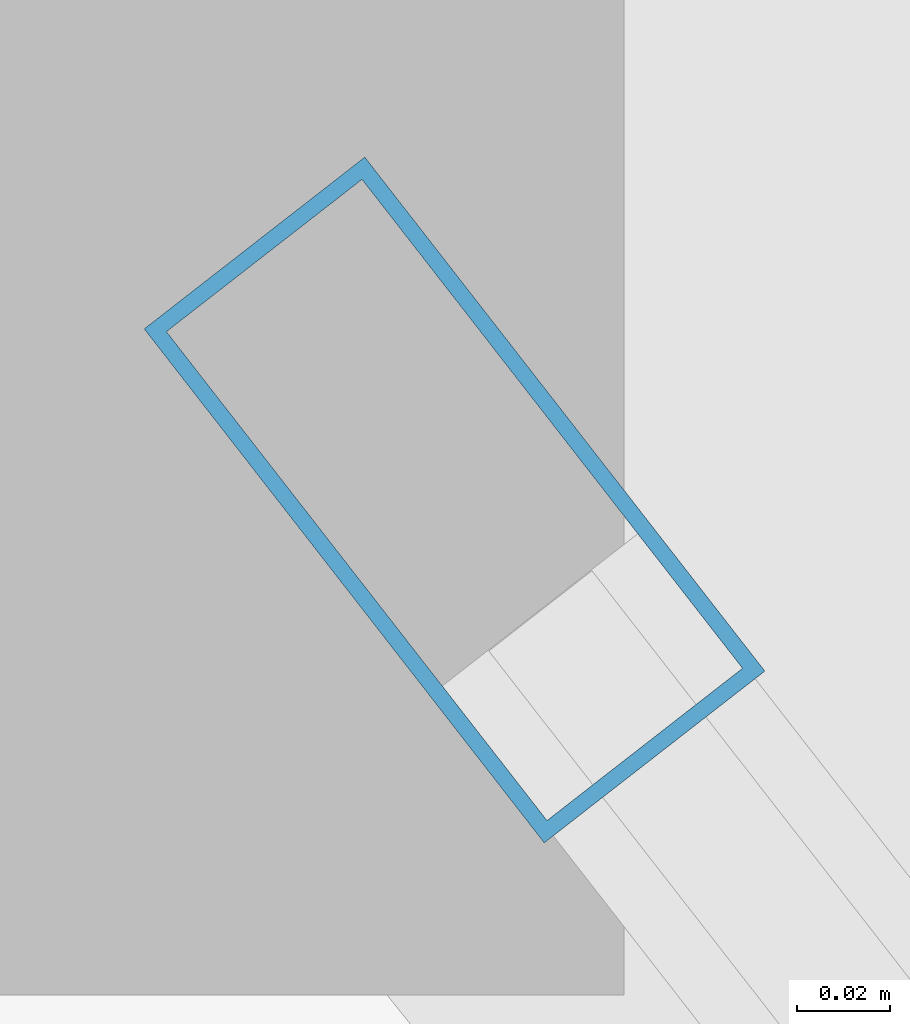
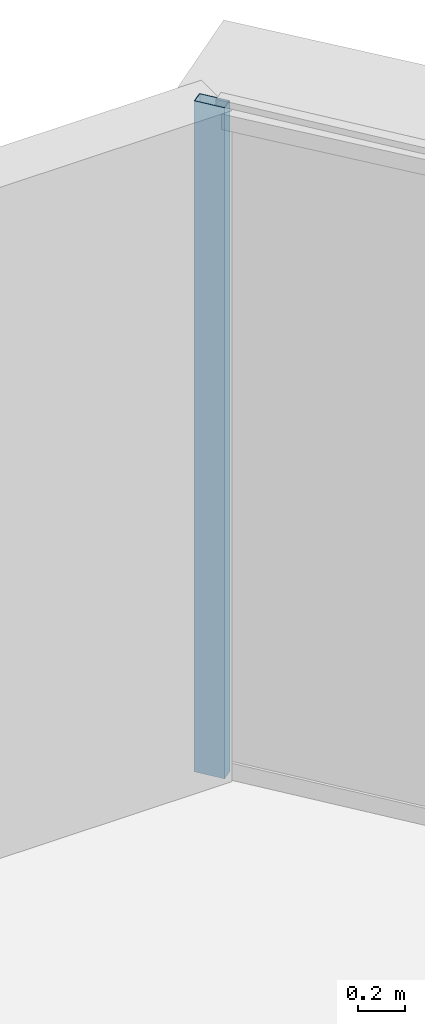
# One storey, part 28 of 39: 1 member, 1 element without a shape of its own.
"""IFC4 building model written with IfcOpenShell, lengths in metres."""

from ifc_helpers import new_model, si_unit, direction, frame, origin, origin_2d, place, context, subcontext, project, spatial, hollow_rectangle, extrude, source, transform, mapped, material, layer, layer_set, material_profile, profile_set, type_object, element, aggregate, save


model = new_model("IFC4")

# Units and contexts
model_context = context("Model", 3, precision=1e-05, world=origin(), true_north=direction((0.0, 1.0)))
body_context = subcontext(model_context, "Body", "Model", "MODEL_VIEW")
ifc_project = project(units=[si_unit("LENGTHUNIT", "METRE"), si_unit("AREAUNIT", "SQUARE_METRE"), si_unit("VOLUMEUNIT", "CUBIC_METRE"), si_unit("PLANEANGLEUNIT", "RADIAN"), si_unit("MASSUNIT", "GRAM", prefix="KILO"), si_unit("THERMODYNAMICTEMPERATUREUNIT", "KELVIN"), si_unit("POWERUNIT", "WATT")], contexts=[model_context])

# Site, building, storey
site_placement = place(None, origin())
site = spatial("IfcSite", under=ifc_project, at=site_placement, CompositionType="ELEMENT")
building_placement = place(site_placement, origin())
building = spatial("IfcBuilding", under=site, at=building_placement, Name="Yunzhuo Pagoda Commons", CompositionType="ELEMENT")
storey_placement = place(building_placement, frame((0.0, 0.0, 296.2099609375)))
storey = spatial("IfcBuildingStorey", under=building, at=storey_placement, Name="L74", CompositionType="ELEMENT", Elevation=296.2099609375)

# Curtain wall, member
ifc_material = material(Name="Anodized aluminium 6063-T6", Category="aluminium")
ifc_layer = layer(ifc_material, 0.139892578125)
ifc_layer_set = layer_set([ifc_layer], Name="Anodized aluminium 6063-T6")
curtain_wall_type = type_object("IfcCurtainWallType", Name="CW-HI High-Zone Ribbon Curtain Wall", PredefinedType="NOTDEFINED", material=ifc_layer_set)
curtain_wall_placement = place(storey_placement, origin())
curtain_wall = element("IfcCurtainWall", 1, at=curtain_wall_placement, inside=storey, type_object=curtain_wall_type, Name="L74 curtain wall CW-L74-F2B5", PredefinedType="NOTDEFINED")
ifc_material_profile = material_profile(ifc_material, hollow_rectangle(XDim=0.06005859375, YDim=0.139892578125, WallThickness=0.00341796875, at=origin_2d()), Name="Anodized aluminium 6063-T6")
ifc_profile_set = profile_set([ifc_material_profile], Name="Anodized aluminium 6063-T6")
member_type = type_object("IfcMemberType", Name="CW-HI-M Mullion RHS 140x60x3.5", PredefinedType="MULLION", material=ifc_profile_set)
shared_shape = source(origin(), body_context, "Body", "SweptSolid", [
    extrude(hollow_rectangle(XDim=0.06005859375, YDim=0.139892578125, WallThickness=0.00341796875, at=origin_2d()), origin(), (0.0, 0.0, 1.0), 3.469970703125),
])
member_placement = place(storey_placement, frame((51.49853515625, 75.7666015625, 0.0), z_axis=(0.0, 0.0, 1.0), x_axis=(-0.789102923127, -0.614261000482, 0.0)))
member = element("IfcMember", 2, at=member_placement, type_object=member_type, Name="CW mullion 2", PredefinedType="MULLION", context=body_context, shape_type="MappedRepresentation", body=[
    mapped(shared_shape, transform((0.0, 0.0, 0.0), scale=1.0)),
])
aggregate(curtain_wall, [member])

save(model, "model.ifc")
